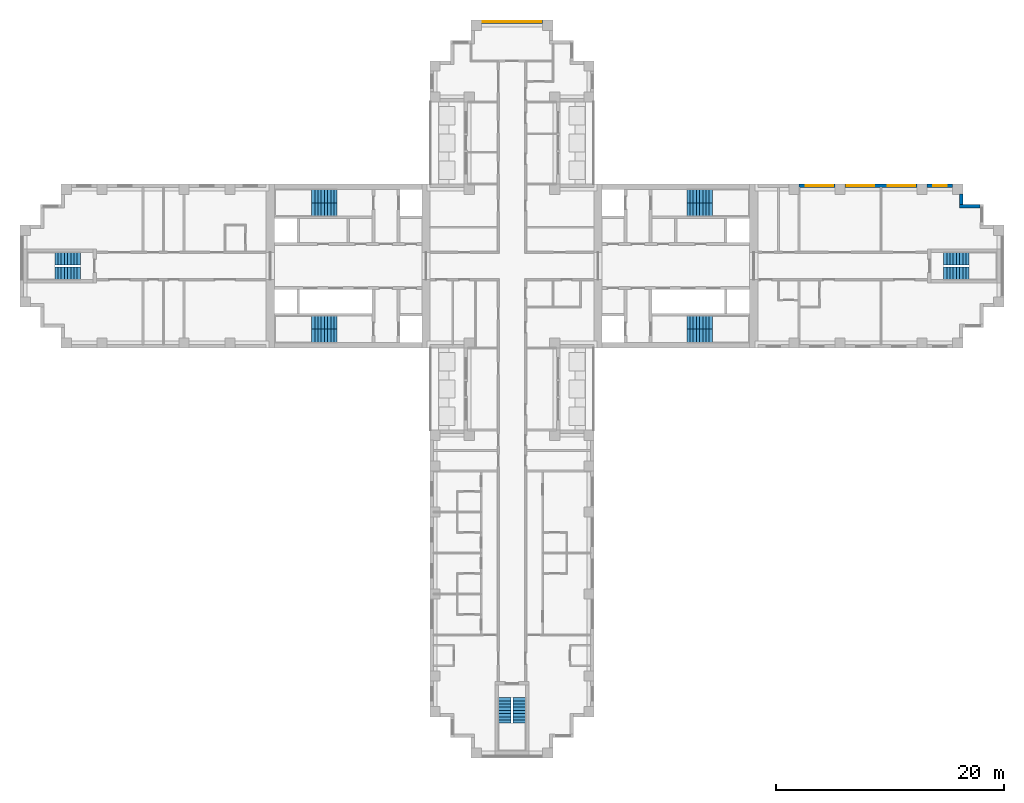
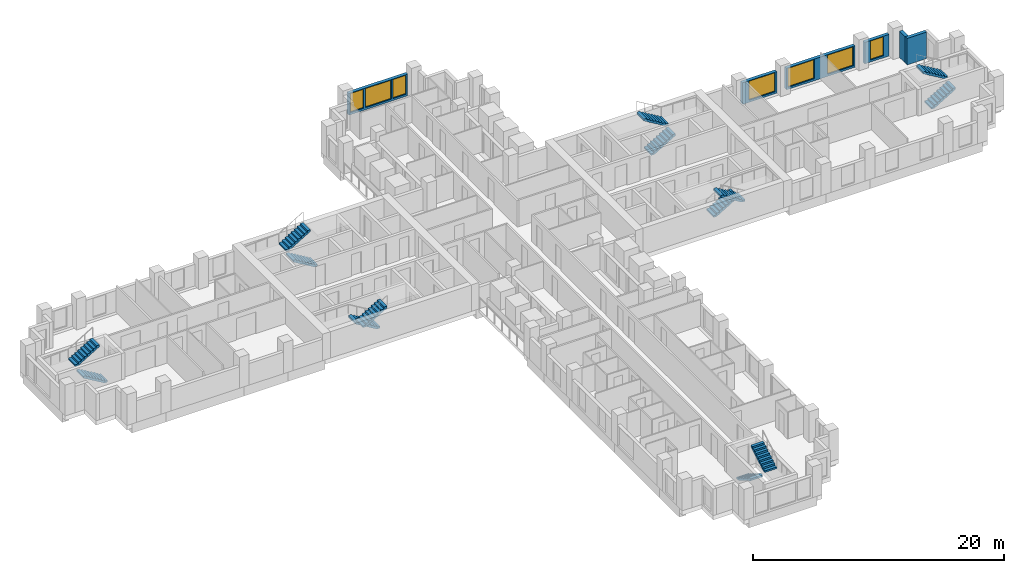
# One storey, part 11 of 13: 14 stair flights, 7 windows, 6 walls, 7 openings, 7 elements without a shape of their own.
"""IFC4 building model written with IfcOpenShell, lengths in metres."""

from ifc_helpers import new_model, si_unit, direction, frame, frame_2d, origin, place, context, subcontext, project, spatial, polyline, rectangle, outline, extrude, material, layer, layer_set, type_object, element, fill, aggregate, save


model = new_model("IFC4")

# Units and contexts
model_context = context("Model", 3, precision=1e-05, world=origin(), true_north=direction((0.0, 1.0)))
body_context = subcontext(model_context, "Body", "Model", "MODEL_VIEW")
ifc_project = project(units=[si_unit("LENGTHUNIT", "METRE"), si_unit("AREAUNIT", "SQUARE_METRE"), si_unit("VOLUMEUNIT", "CUBIC_METRE"), si_unit("PLANEANGLEUNIT", "RADIAN"), si_unit("MASSUNIT", "GRAM", prefix="KILO")], contexts=[model_context])

# Site, building, storey
site_placement = place(None, origin())
site = spatial("IfcSite", under=ifc_project, at=site_placement, CompositionType="ELEMENT")
building_placement = place(site_placement, origin())
building = spatial("IfcBuilding", under=site, at=building_placement, Name="Fustian Cross Tower", CompositionType="ELEMENT")
storey_placement = place(building_placement, frame((0.0, 0.0, 105.89990234375)))
storey = spatial("IfcBuildingStorey", under=building, at=storey_placement, Name="L33", CompositionType="ELEMENT", Elevation=105.89990234375)

# Walls
ifc_material_1 = material(Name="Dark aluminium cladding on insulated backing wall", Category="aluminium")
ifc_layer = layer(ifc_material_1, 0.300048828125)
ifc_layer_set = layer_set([ifc_layer], Name="Dark aluminium cladding on insulated backing wall")
wall_type = type_object("IfcWallType", Name="XW1 EXTERNAL WALL 300", PredefinedType="SOLIDWALL", material=ifc_layer_set)
wall_1_placement = place(storey_placement, frame((41.10009765625, 5.25, 0.0), z_axis=(0.0, 0.0, 1.0), x_axis=(-1.0, 0.0, 0.0)))
element("IfcWall", 1, at=wall_1_placement, inside=storey, type_object=wall_type, Name="External wall", PredefinedType="SOLIDWALL", context=body_context, shape_type="SweptSolid", body=[
    extrude(rectangle(XDim=1.800048828125, YDim=0.300048828125, at=frame_2d((0.89990234375, 0.0))), origin(), (0.0, 0.0, 1.0), 2.5751953125),
])
wall_2_placement = place(storey_placement, frame((39.449951171875, 5.39990234375, 0.0), z_axis=(0.0, 0.0, 1.0), x_axis=(0.0, 1.0, 0.0)))
element("IfcWall", 2, at=wall_2_placement, inside=storey, type_object=wall_type, Name="External wall", PredefinedType="SOLIDWALL", context=body_context, shape_type="SweptSolid", body=[
    extrude(rectangle(XDim=0.900146484375, YDim=0.300048828125, at=frame_2d((0.4501953125, 0.0))), origin(), (0.0, 0.0, 1.0), 2.5751953125),
])

# Wall, opening, window
wall_3_placement = place(storey_placement, frame((38.699951171875, 7.050048828125, 0.0), z_axis=(0.0, 0.0, 1.0), x_axis=(-1.0, 0.0, 0.0)))
wall_3 = element("IfcWall", 3, at=wall_3_placement, inside=storey, type_object=wall_type, Name="External wall", PredefinedType="SOLIDWALL", context=body_context, shape_type="SweptSolid", body=[
    extrude(rectangle(XDim=2.25, YDim=0.300048828125, at=frame_2d((1.125, 0.0))), origin(), (0.0, 0.0, 1.0), 2.10009765625),
])
opening_1_placement = place(wall_3_placement, frame((0.52490234375, 0.0, 0.199951171875)))
opening_1 = element("IfcOpeningElement", 4, at=opening_1_placement, cuts=wall_3, Name="Opening WN3", PredefinedType="OPENING", context=body_context, shape_type="SweptSolid", body=[
    extrude(rectangle(XDim=1.199951171875, YDim=1.85009765625, at=frame_2d((0.60009765625, 0.925048828125))), frame((0.0, 0.159912109375, 0.0), z_axis=(0.0, -1.0, 0.0), x_axis=(1.0, 0.0, 0.0)), (0.0, 0.0, 1.0), 0.320068359375),
])
ifc_material_2 = material(Name="Dark anodised aluminium and double glazing", Category="aluminium")
window_type_1 = type_object("IfcWindowType", Name="WN3 WINDOW 1200X1850", PartitioningType="SINGLE_PANEL", PredefinedType="WINDOW", material=ifc_material_2)
window_1_placement = place(opening_1_placement, origin())
window_1 = element("IfcWindow", 5, at=window_1_placement, inside=storey, type_object=window_type_1, Name="Window", OverallHeight=1.85009765625, OverallWidth=1.199951171875, PartitioningType="SINGLE_PANEL", PredefinedType="WINDOW", context=body_context, shape_type="SweptSolid", body=[
    extrude(rectangle(XDim=1.199951171875, YDim=1.85009765625, at=frame_2d((0.60009765625, 0.925048828125))), frame((0.0, 0.030029296875, 0.0), z_axis=(0.0, -1.0, 0.0), x_axis=(1.0, 0.0, 0.0)), (0.0, 0.0, 1.0), 0.06005859375),
])
fill(opening_1, window_1)

# Wall, openings, windows
wall_4_placement = place(storey_placement, frame((35.550048828125, 7.050048828125, 0.0), z_axis=(0.0, 0.0, 1.0), x_axis=(-1.0, 0.0, 0.0)))
wall_4 = element("IfcWall", 6, at=wall_4_placement, inside=storey, type_object=wall_type, Name="External wall", PredefinedType="SOLIDWALL", context=body_context, shape_type="SweptSolid", body=[
    extrude(rectangle(XDim=6.300048828125, YDim=0.300048828125, at=frame_2d((3.14990234375, 0.0))), origin(), (0.0, 0.0, 1.0), 2.10009765625),
])
opening_2_placement = place(wall_4_placement, frame((0.14990234375, 0.0, 0.199951171875)))
opening_2 = element("IfcOpeningElement", 7, at=opening_2_placement, cuts=wall_4, Name="Opening WN1", PredefinedType="OPENING", context=body_context, shape_type="SweptSolid", body=[
    extrude(rectangle(XDim=2.39990234375, YDim=1.85009765625, at=frame_2d((1.199951171875, 0.925048828125))), frame((0.0, 0.159912109375, 0.0), z_axis=(0.0, -1.0, 0.0), x_axis=(1.0, 0.0, 0.0)), (0.0, 0.0, 1.0), 0.320068359375),
])
opening_3_placement = place(wall_4_placement, frame((3.75, 0.0, 0.199951171875)))
opening_3 = element("IfcOpeningElement", 8, at=opening_3_placement, cuts=wall_4, Name="Opening WN1", PredefinedType="OPENING", context=body_context, shape_type="SweptSolid", body=[
    extrude(rectangle(XDim=2.39990234375, YDim=1.85009765625, at=frame_2d((1.199951171875, 0.925048828125))), frame((0.0, 0.159912109375, 0.0), z_axis=(0.0, -1.0, 0.0), x_axis=(1.0, 0.0, 0.0)), (0.0, 0.0, 1.0), 0.320068359375),
])
ifc_material_3 = material(Name="Dark anodised aluminium and double glazing", Category="aluminium")
window_type_2 = type_object("IfcWindowType", Name="WN1 WINDOW 2400X1850", PartitioningType="SINGLE_PANEL", PredefinedType="WINDOW", material=ifc_material_3)
window_2_placement = place(opening_2_placement, origin())
window_2 = element("IfcWindow", 9, at=window_2_placement, inside=storey, type_object=window_type_2, Name="Window", OverallHeight=1.85009765625, OverallWidth=2.39990234375, PartitioningType="SINGLE_PANEL", PredefinedType="WINDOW", context=body_context, shape_type="SweptSolid", body=[
    extrude(rectangle(XDim=2.39990234375, YDim=1.85009765625, at=frame_2d((1.199951171875, 0.925048828125))), frame((0.0, 0.030029296875, 0.0), z_axis=(0.0, -1.0, 0.0), x_axis=(1.0, 0.0, 0.0)), (0.0, 0.0, 1.0), 0.06005859375),
])
fill(opening_2, window_2)
window_3_placement = place(opening_3_placement, origin())
window_3 = element("IfcWindow", 10, at=window_3_placement, inside=storey, type_object=window_type_2, Name="Window", OverallHeight=1.85009765625, OverallWidth=2.39990234375, PartitioningType="SINGLE_PANEL", PredefinedType="WINDOW", context=body_context, shape_type="SweptSolid", body=[
    extrude(rectangle(XDim=2.39990234375, YDim=1.85009765625, at=frame_2d((1.199951171875, 0.925048828125))), frame((0.0, 0.030029296875, 0.0), z_axis=(0.0, -1.0, 0.0), x_axis=(1.0, 0.0, 0.0)), (0.0, 0.0, 1.0), 0.06005859375),
])
fill(opening_3, window_3)

# Wall, opening, window
wall_5_placement = place(storey_placement, frame((28.35009765625, 7.050048828125, 0.0), z_axis=(0.0, 0.0, 1.0), x_axis=(-1.0, 0.0, 0.0)))
wall_5 = element("IfcWall", 11, at=wall_5_placement, inside=storey, type_object=wall_type, Name="External wall", PredefinedType="SOLIDWALL", context=body_context, shape_type="SweptSolid", body=[
    extrude(rectangle(XDim=3.150146484375, YDim=0.300048828125, at=frame_2d((1.5751953125, 0.0))), origin(), (0.0, 0.0, 1.0), 2.10009765625),
])
opening_4_placement = place(wall_5_placement, frame((0.14990234375, 0.0, 0.199951171875)))
opening_4 = element("IfcOpeningElement", 12, at=opening_4_placement, cuts=wall_5, Name="Opening WN1", PredefinedType="OPENING", context=body_context, shape_type="SweptSolid", body=[
    extrude(rectangle(XDim=2.39990234375, YDim=1.85009765625, at=frame_2d((1.199951171875, 0.925048828125))), frame((0.0, 0.159912109375, 0.0), z_axis=(0.0, -1.0, 0.0), x_axis=(1.0, 0.0, 0.0)), (0.0, 0.0, 1.0), 0.320068359375),
])
window_4_placement = place(opening_4_placement, origin())
window_4 = element("IfcWindow", 13, at=window_4_placement, inside=storey, type_object=window_type_2, Name="Window", OverallHeight=1.85009765625, OverallWidth=2.39990234375, PartitioningType="SINGLE_PANEL", PredefinedType="WINDOW", context=body_context, shape_type="SweptSolid", body=[
    extrude(rectangle(XDim=2.39990234375, YDim=1.85009765625, at=frame_2d((1.199951171875, 0.925048828125))), frame((0.0, 0.030029296875, 0.0), z_axis=(0.0, -1.0, 0.0), x_axis=(1.0, 0.0, 0.0)), (0.0, 0.0, 1.0), 0.06005859375),
])
fill(opening_4, window_4)

# Wall, openings, windows
wall_6_placement = place(storey_placement, frame((2.699951171875, 21.449951171875, 0.0), z_axis=(0.0, 0.0, 1.0), x_axis=(-1.0, 0.0, 0.0)))
wall_6 = element("IfcWall", 14, at=wall_6_placement, inside=storey, type_object=wall_type, Name="External wall", PredefinedType="SOLIDWALL", context=body_context, shape_type="SweptSolid", body=[
    extrude(rectangle(XDim=5.39990234375, YDim=0.300048828125, at=frame_2d((2.699951171875, 0.0))), origin(), (0.0, 0.0, 1.0), 2.10009765625),
])
opening_5_placement = place(wall_6_placement, frame((1.5, 0.0, 0.199951171875)))
opening_5 = element("IfcOpeningElement", 15, at=opening_5_placement, cuts=wall_6, Name="Opening WN1", PredefinedType="OPENING", context=body_context, shape_type="SweptSolid", body=[
    extrude(rectangle(XDim=2.39990234375, YDim=1.85009765625, at=frame_2d((1.199951171875, 0.925048828125))), frame((0.0, 0.159912109375, 0.0), z_axis=(0.0, -1.0, 0.0), x_axis=(1.0, 0.0, 0.0)), (0.0, 0.0, 1.0), 0.320068359375),
])
opening_6_placement = place(wall_6_placement, frame((0.14990234375, 0.0, 0.199951171875)))
opening_6 = element("IfcOpeningElement", 16, at=opening_6_placement, cuts=wall_6, Name="Opening WN3", PredefinedType="OPENING", context=body_context, shape_type="SweptSolid", body=[
    extrude(rectangle(XDim=1.199951171875, YDim=1.85009765625, at=frame_2d((0.60009765625, 0.925048828125))), frame((0.0, 0.159912109375, 0.0), z_axis=(0.0, -1.0, 0.0), x_axis=(1.0, 0.0, 0.0)), (0.0, 0.0, 1.0), 0.320068359375),
])
opening_7_placement = place(wall_6_placement, frame((4.050048828125, 0.0, 0.199951171875)))
opening_7 = element("IfcOpeningElement", 17, at=opening_7_placement, cuts=wall_6, Name="Opening WN3", PredefinedType="OPENING", context=body_context, shape_type="SweptSolid", body=[
    extrude(rectangle(XDim=1.199951171875, YDim=1.85009765625, at=frame_2d((0.60009765625, 0.925048828125))), frame((0.0, 0.159912109375, 0.0), z_axis=(0.0, -1.0, 0.0), x_axis=(1.0, 0.0, 0.0)), (0.0, 0.0, 1.0), 0.320068359375),
])
window_5_placement = place(opening_5_placement, origin())
window_5 = element("IfcWindow", 18, at=window_5_placement, inside=storey, type_object=window_type_2, Name="Window", OverallHeight=1.85009765625, OverallWidth=2.39990234375, PartitioningType="SINGLE_PANEL", PredefinedType="WINDOW", context=body_context, shape_type="SweptSolid", body=[
    extrude(rectangle(XDim=2.39990234375, YDim=1.85009765625, at=frame_2d((1.199951171875, 0.925048828125))), frame((0.0, 0.030029296875, 0.0), z_axis=(0.0, -1.0, 0.0), x_axis=(1.0, 0.0, 0.0)), (0.0, 0.0, 1.0), 0.06005859375),
])
fill(opening_5, window_5)
window_6_placement = place(opening_6_placement, origin())
window_6 = element("IfcWindow", 19, at=window_6_placement, inside=storey, type_object=window_type_1, Name="Window", OverallHeight=1.85009765625, OverallWidth=1.199951171875, PartitioningType="SINGLE_PANEL", PredefinedType="WINDOW", context=body_context, shape_type="SweptSolid", body=[
    extrude(rectangle(XDim=1.199951171875, YDim=1.85009765625, at=frame_2d((0.60009765625, 0.925048828125))), frame((0.0, 0.030029296875, 0.0), z_axis=(0.0, -1.0, 0.0), x_axis=(1.0, 0.0, 0.0)), (0.0, 0.0, 1.0), 0.06005859375),
])
fill(opening_6, window_6)
window_7_placement = place(opening_7_placement, origin())
window_7 = element("IfcWindow", 20, at=window_7_placement, inside=storey, type_object=window_type_1, Name="Window", OverallHeight=1.85009765625, OverallWidth=1.199951171875, PartitioningType="SINGLE_PANEL", PredefinedType="WINDOW", context=body_context, shape_type="SweptSolid", body=[
    extrude(rectangle(XDim=1.199951171875, YDim=1.85009765625, at=frame_2d((0.60009765625, 0.925048828125))), frame((0.0, 0.030029296875, 0.0), z_axis=(0.0, -1.0, 0.0), x_axis=(1.0, 0.0, 0.0)), (0.0, 0.0, 1.0), 0.06005859375),
])
fill(opening_7, window_7)

# Stair, stair flights
ifc_material_4 = material(Name="Concrete C50/60", Category="concrete")
stair_type_1 = type_object("IfcStairType", Name="STAIR 1100 HALF TURN", PredefinedType="HALF_TURN_STAIR", material=ifc_material_4)
stair_1_placement = place(storey_placement, origin())
stair_1 = element("IfcStair", 21, at=stair_1_placement, inside=storey, type_object=stair_type_1, Name="Stair ST6", PredefinedType="HALF_TURN_STAIR")
ifc_material_5 = material(Name="Concrete C50/60", Category="concrete")
stair_flight_type_1 = type_object("IfcStairFlightType", Name="STAIR FLIGHT 1100", PredefinedType="STRAIGHT", material=ifc_material_5)
stair_flight_1_placement = place(storey_placement, frame((-0.64990234375, -37.89990234375, 0.0), z_axis=(0.0, 0.0, 1.0), x_axis=(0.0, -1.0, 0.0)))
stair_flight_1 = element("IfcStairFlight", 22, at=stair_flight_1_placement, type_object=stair_flight_type_1, Name="ST6 flight 1", NumberOfRisers=9, NumberOfTreads=8, PredefinedType="STRAIGHT", RiserHeight=0.166666667, TreadLength=0.28, context=body_context, shape_type="SweptSolid", body=[
    extrude(outline(polyline([(0.0, 0.0), (0.0, 0.166748046875), (0.280029296875, 0.166748046875), (0.280029296875, 0.333251953125), (0.56005859375, 0.333251953125), (0.56005859375, 0.5), (0.840087890625, 0.5), (0.840087890625, 0.666748046875), (1.1201171875, 0.666748046875), (1.1201171875, 0.833251953125), (1.39990234375, 0.833251953125), (1.39990234375, 1.0), (1.679931640625, 1.0), (1.679931640625, 1.166748046875), (1.9599609375, 1.166748046875), (1.9599609375, 1.333251953125), (2.239990234375, 1.333251953125), (2.239990234375, 1.5), (2.239990234375, 1.158935546875), (0.29296875, 0.0), (0.0, 0.0)])), frame((0.0, 0.550048828125, 0.0), z_axis=(0.0, -1.0, 0.0), x_axis=(1.0, 0.0, 0.0)), (0.0, 0.0, 1.0), 1.10009765625),
])
stair_flight_2_placement = place(storey_placement, frame((0.64990234375, -40.139892578125, 1.5), z_axis=(0.0, 0.0, 1.0), x_axis=(0.0, 1.0, 0.0)))
stair_flight_2 = element("IfcStairFlight", 23, at=stair_flight_2_placement, type_object=stair_flight_type_1, Name="ST6 flight 2", NumberOfRisers=9, NumberOfTreads=8, PredefinedType="STRAIGHT", RiserHeight=0.166666667, TreadLength=0.28, context=body_context, shape_type="SweptSolid", body=[
    extrude(outline(polyline([(0.0, 0.0), (0.0, 0.166748046875), (0.280029296875, 0.166748046875), (0.280029296875, 0.333251953125), (0.56005859375, 0.333251953125), (0.56005859375, 0.5), (0.840087890625, 0.5), (0.840087890625, 0.666748046875), (1.1201171875, 0.666748046875), (1.1201171875, 0.833251953125), (1.39990234375, 0.833251953125), (1.39990234375, 1.0), (1.679931640625, 1.0), (1.679931640625, 1.166748046875), (1.9599609375, 1.166748046875), (1.9599609375, 1.333251953125), (2.239990234375, 1.333251953125), (2.239990234375, 1.5), (2.239990234375, 1.158935546875), (0.29296875, 0.0), (0.0, 0.0)])), frame((0.0, 0.550048828125, 0.0), z_axis=(0.0, -1.0, 0.0), x_axis=(1.0, 0.0, 0.0)), (0.0, 0.0, 1.0), 1.10009765625),
])
aggregate(stair_1, [stair_flight_1, stair_flight_2])

stair_2_placement = place(storey_placement, origin())
stair_2 = element("IfcStair", 24, at=stair_2_placement, inside=storey, type_object=stair_type_1, Name="Stair ST8", PredefinedType="HALF_TURN_STAIR")
stair_flight_3_placement = place(storey_placement, frame((37.89990234375, -0.64990234375, 0.0), z_axis=(0.0, 0.0, 1.0), x_axis=(1.0, 0.0, 0.0)))
stair_flight_3 = element("IfcStairFlight", 25, at=stair_flight_3_placement, type_object=stair_flight_type_1, Name="ST8 flight 1", NumberOfRisers=9, NumberOfTreads=8, PredefinedType="STRAIGHT", RiserHeight=0.166666667, TreadLength=0.28, context=body_context, shape_type="SweptSolid", body=[
    extrude(outline(polyline([(0.0, 0.0), (0.0, 0.166748046875), (0.280029296875, 0.166748046875), (0.280029296875, 0.333251953125), (0.56005859375, 0.333251953125), (0.56005859375, 0.5), (0.840087890625, 0.5), (0.840087890625, 0.666748046875), (1.1201171875, 0.666748046875), (1.1201171875, 0.833251953125), (1.39990234375, 0.833251953125), (1.39990234375, 1.0), (1.679931640625, 1.0), (1.679931640625, 1.166748046875), (1.9599609375, 1.166748046875), (1.9599609375, 1.333251953125), (2.239990234375, 1.333251953125), (2.239990234375, 1.5), (2.239990234375, 1.158935546875), (0.29296875, 0.0), (0.0, 0.0)])), frame((0.0, 0.550048828125, 0.0), z_axis=(0.0, -1.0, 0.0), x_axis=(1.0, 0.0, 0.0)), (0.0, 0.0, 1.0), 1.10009765625),
])
stair_flight_4_placement = place(storey_placement, frame((40.139892578125, 0.64990234375, 1.5), z_axis=(0.0, 0.0, 1.0), x_axis=(-1.0, 0.0, 0.0)))
stair_flight_4 = element("IfcStairFlight", 26, at=stair_flight_4_placement, type_object=stair_flight_type_1, Name="ST8 flight 2", NumberOfRisers=9, NumberOfTreads=8, PredefinedType="STRAIGHT", RiserHeight=0.166666667, TreadLength=0.28, context=body_context, shape_type="SweptSolid", body=[
    extrude(outline(polyline([(0.0, 0.0), (0.0, 0.166748046875), (0.280029296875, 0.166748046875), (0.280029296875, 0.333251953125), (0.56005859375, 0.333251953125), (0.56005859375, 0.5), (0.840087890625, 0.5), (0.840087890625, 0.666748046875), (1.1201171875, 0.666748046875), (1.1201171875, 0.833251953125), (1.39990234375, 0.833251953125), (1.39990234375, 1.0), (1.679931640625, 1.0), (1.679931640625, 1.166748046875), (1.9599609375, 1.166748046875), (1.9599609375, 1.333251953125), (2.239990234375, 1.333251953125), (2.239990234375, 1.5), (2.239990234375, 1.158935546875), (0.29296875, 0.0), (0.0, 0.0)])), frame((0.0, 0.550048828125, 0.0), z_axis=(0.0, -1.0, 0.0), x_axis=(1.0, 0.0, 0.0)), (0.0, 0.0, 1.0), 1.10009765625),
])
aggregate(stair_2, [stair_flight_3, stair_flight_4])

stair_3_placement = place(storey_placement, origin())
stair_3 = element("IfcStair", 27, at=stair_3_placement, inside=storey, type_object=stair_type_1, Name="Stair ST9", PredefinedType="HALF_TURN_STAIR")
stair_flight_5_placement = place(storey_placement, frame((-37.89990234375, -0.64990234375, 0.0), z_axis=(0.0, 0.0, 1.0), x_axis=(-1.0, 0.0, 0.0)))
stair_flight_5 = element("IfcStairFlight", 28, at=stair_flight_5_placement, type_object=stair_flight_type_1, Name="ST9 flight 1", NumberOfRisers=9, NumberOfTreads=8, PredefinedType="STRAIGHT", RiserHeight=0.166666667, TreadLength=0.28, context=body_context, shape_type="SweptSolid", body=[
    extrude(outline(polyline([(0.0, 0.0), (0.0, 0.166748046875), (0.280029296875, 0.166748046875), (0.280029296875, 0.333251953125), (0.56005859375, 0.333251953125), (0.56005859375, 0.5), (0.840087890625, 0.5), (0.840087890625, 0.666748046875), (1.1201171875, 0.666748046875), (1.1201171875, 0.833251953125), (1.39990234375, 0.833251953125), (1.39990234375, 1.0), (1.679931640625, 1.0), (1.679931640625, 1.166748046875), (1.9599609375, 1.166748046875), (1.9599609375, 1.333251953125), (2.239990234375, 1.333251953125), (2.239990234375, 1.5), (2.239990234375, 1.158935546875), (0.29296875, 0.0), (0.0, 0.0)])), frame((0.0, 0.550048828125, 0.0), z_axis=(0.0, -1.0, 0.0), x_axis=(1.0, 0.0, 0.0)), (0.0, 0.0, 1.0), 1.10009765625),
])
stair_flight_6_placement = place(storey_placement, frame((-40.139892578125, 0.64990234375, 1.5), z_axis=(0.0, 0.0, 1.0), x_axis=(1.0, 0.0, 0.0)))
stair_flight_6 = element("IfcStairFlight", 29, at=stair_flight_6_placement, type_object=stair_flight_type_1, Name="ST9 flight 2", NumberOfRisers=9, NumberOfTreads=8, PredefinedType="STRAIGHT", RiserHeight=0.166666667, TreadLength=0.28, context=body_context, shape_type="SweptSolid", body=[
    extrude(outline(polyline([(0.0, 0.0), (0.0, 0.166748046875), (0.280029296875, 0.166748046875), (0.280029296875, 0.333251953125), (0.56005859375, 0.333251953125), (0.56005859375, 0.5), (0.840087890625, 0.5), (0.840087890625, 0.666748046875), (1.1201171875, 0.666748046875), (1.1201171875, 0.833251953125), (1.39990234375, 0.833251953125), (1.39990234375, 1.0), (1.679931640625, 1.0), (1.679931640625, 1.166748046875), (1.9599609375, 1.166748046875), (1.9599609375, 1.333251953125), (2.239990234375, 1.333251953125), (2.239990234375, 1.5), (2.239990234375, 1.158935546875), (0.29296875, 0.0), (0.0, 0.0)])), frame((0.0, 0.550048828125, 0.0), z_axis=(0.0, -1.0, 0.0), x_axis=(1.0, 0.0, 0.0)), (0.0, 0.0, 1.0), 1.10009765625),
])
aggregate(stair_3, [stair_flight_5, stair_flight_6])

ifc_material_6 = material(Name="Concrete C50/60", Category="concrete")
stair_type_2 = type_object("IfcStairType", Name="STAIR 1150 HALF TURN", PredefinedType="HALF_TURN_STAIR", material=ifc_material_6)
stair_4_placement = place(storey_placement, origin())
stair_4 = element("IfcStair", 30, at=stair_4_placement, inside=storey, type_object=stair_type_2, Name="Stair ST1", PredefinedType="HALF_TURN_STAIR")
ifc_material_7 = material(Name="Concrete C50/60", Category="concrete")
stair_flight_type_2 = type_object("IfcStairFlightType", Name="STAIR FLIGHT 1150", PredefinedType="STRAIGHT", material=ifc_material_7)
stair_flight_7_placement = place(storey_placement, frame((15.35009765625, 4.97509765625, 0.0), z_axis=(0.0, 0.0, 1.0), x_axis=(1.0, 0.0, 0.0)))
stair_flight_7 = element("IfcStairFlight", 31, at=stair_flight_7_placement, type_object=stair_flight_type_2, Name="ST1 flight 1", NumberOfRisers=9, NumberOfTreads=8, PredefinedType="STRAIGHT", RiserHeight=0.166666667, TreadLength=0.28, context=body_context, shape_type="SweptSolid", body=[
    extrude(outline(polyline([(0.0, 0.0), (0.0, 0.166748046875), (0.280029296875, 0.166748046875), (0.280029296875, 0.333251953125), (0.56005859375, 0.333251953125), (0.56005859375, 0.5), (0.840087890625, 0.5), (0.840087890625, 0.666748046875), (1.1201171875, 0.666748046875), (1.1201171875, 0.833251953125), (1.39990234375, 0.833251953125), (1.39990234375, 1.0), (1.679931640625, 1.0), (1.679931640625, 1.166748046875), (1.9599609375, 1.166748046875), (1.9599609375, 1.333251953125), (2.239990234375, 1.333251953125), (2.239990234375, 1.5), (2.239990234375, 1.158935546875), (0.29296875, 0.0), (0.0, 0.0)])), frame((0.0, 0.574951171875, 0.0), z_axis=(0.0, -1.0, 0.0), x_axis=(1.0, 0.0, 0.0)), (0.0, 0.0, 1.0), 1.14990234375),
])
stair_flight_8_placement = place(storey_placement, frame((17.590087890625, 6.125, 1.5), z_axis=(0.0, 0.0, 1.0), x_axis=(-1.0, 0.0, 0.0)))
stair_flight_8 = element("IfcStairFlight", 32, at=stair_flight_8_placement, type_object=stair_flight_type_2, Name="ST1 flight 2", NumberOfRisers=9, NumberOfTreads=8, PredefinedType="STRAIGHT", RiserHeight=0.166666667, TreadLength=0.28, context=body_context, shape_type="SweptSolid", body=[
    extrude(outline(polyline([(0.0, 0.0), (0.0, 0.166748046875), (0.280029296875, 0.166748046875), (0.280029296875, 0.333251953125), (0.56005859375, 0.333251953125), (0.56005859375, 0.5), (0.840087890625, 0.5), (0.840087890625, 0.666748046875), (1.1201171875, 0.666748046875), (1.1201171875, 0.833251953125), (1.39990234375, 0.833251953125), (1.39990234375, 1.0), (1.679931640625, 1.0), (1.679931640625, 1.166748046875), (1.9599609375, 1.166748046875), (1.9599609375, 1.333251953125), (2.239990234375, 1.333251953125), (2.239990234375, 1.5), (2.239990234375, 1.158935546875), (0.29296875, 0.0), (0.0, 0.0)])), frame((0.0, 0.574951171875, 0.0), z_axis=(0.0, -1.0, 0.0), x_axis=(1.0, 0.0, 0.0)), (0.0, 0.0, 1.0), 1.14990234375),
])
aggregate(stair_4, [stair_flight_7, stair_flight_8])

stair_5_placement = place(storey_placement, origin())
stair_5 = element("IfcStair", 33, at=stair_5_placement, inside=storey, type_object=stair_type_2, Name="Stair ST2", PredefinedType="HALF_TURN_STAIR")
stair_flight_9_placement = place(storey_placement, frame((15.35009765625, -4.97509765625, 0.0), z_axis=(0.0, 0.0, 1.0), x_axis=(1.0, 0.0, 0.0)))
stair_flight_9 = element("IfcStairFlight", 34, at=stair_flight_9_placement, type_object=stair_flight_type_2, Name="ST2 flight 1", NumberOfRisers=9, NumberOfTreads=8, PredefinedType="STRAIGHT", RiserHeight=0.166666667, TreadLength=0.28, context=body_context, shape_type="SweptSolid", body=[
    extrude(outline(polyline([(0.0, 0.0), (0.0, 0.166748046875), (0.280029296875, 0.166748046875), (0.280029296875, 0.333251953125), (0.56005859375, 0.333251953125), (0.56005859375, 0.5), (0.840087890625, 0.5), (0.840087890625, 0.666748046875), (1.1201171875, 0.666748046875), (1.1201171875, 0.833251953125), (1.39990234375, 0.833251953125), (1.39990234375, 1.0), (1.679931640625, 1.0), (1.679931640625, 1.166748046875), (1.9599609375, 1.166748046875), (1.9599609375, 1.333251953125), (2.239990234375, 1.333251953125), (2.239990234375, 1.5), (2.239990234375, 1.158935546875), (0.29296875, 0.0), (0.0, 0.0)])), frame((0.0, 0.574951171875, 0.0), z_axis=(0.0, -1.0, 0.0), x_axis=(1.0, 0.0, 0.0)), (0.0, 0.0, 1.0), 1.14990234375),
])
stair_flight_10_placement = place(storey_placement, frame((17.590087890625, -6.125, 1.5), z_axis=(0.0, 0.0, 1.0), x_axis=(-1.0, 0.0, 0.0)))
stair_flight_10 = element("IfcStairFlight", 35, at=stair_flight_10_placement, type_object=stair_flight_type_2, Name="ST2 flight 2", NumberOfRisers=9, NumberOfTreads=8, PredefinedType="STRAIGHT", RiserHeight=0.166666667, TreadLength=0.28, context=body_context, shape_type="SweptSolid", body=[
    extrude(outline(polyline([(0.0, 0.0), (0.0, 0.166748046875), (0.280029296875, 0.166748046875), (0.280029296875, 0.333251953125), (0.56005859375, 0.333251953125), (0.56005859375, 0.5), (0.840087890625, 0.5), (0.840087890625, 0.666748046875), (1.1201171875, 0.666748046875), (1.1201171875, 0.833251953125), (1.39990234375, 0.833251953125), (1.39990234375, 1.0), (1.679931640625, 1.0), (1.679931640625, 1.166748046875), (1.9599609375, 1.166748046875), (1.9599609375, 1.333251953125), (2.239990234375, 1.333251953125), (2.239990234375, 1.5), (2.239990234375, 1.158935546875), (0.29296875, 0.0), (0.0, 0.0)])), frame((0.0, 0.574951171875, 0.0), z_axis=(0.0, -1.0, 0.0), x_axis=(1.0, 0.0, 0.0)), (0.0, 0.0, 1.0), 1.14990234375),
])
aggregate(stair_5, [stair_flight_9, stair_flight_10])

stair_6_placement = place(storey_placement, origin())
stair_6 = element("IfcStair", 36, at=stair_6_placement, inside=storey, type_object=stair_type_2, Name="Stair ST3", PredefinedType="HALF_TURN_STAIR")
stair_flight_11_placement = place(storey_placement, frame((-15.35009765625, 4.97509765625, 0.0), z_axis=(0.0, 0.0, 1.0), x_axis=(-1.0, 0.0, 0.0)))
stair_flight_11 = element("IfcStairFlight", 37, at=stair_flight_11_placement, type_object=stair_flight_type_2, Name="ST3 flight 1", NumberOfRisers=9, NumberOfTreads=8, PredefinedType="STRAIGHT", RiserHeight=0.166666667, TreadLength=0.28, context=body_context, shape_type="SweptSolid", body=[
    extrude(outline(polyline([(0.0, 0.0), (0.0, 0.166748046875), (0.280029296875, 0.166748046875), (0.280029296875, 0.333251953125), (0.56005859375, 0.333251953125), (0.56005859375, 0.5), (0.840087890625, 0.5), (0.840087890625, 0.666748046875), (1.1201171875, 0.666748046875), (1.1201171875, 0.833251953125), (1.39990234375, 0.833251953125), (1.39990234375, 1.0), (1.679931640625, 1.0), (1.679931640625, 1.166748046875), (1.9599609375, 1.166748046875), (1.9599609375, 1.333251953125), (2.239990234375, 1.333251953125), (2.239990234375, 1.5), (2.239990234375, 1.158935546875), (0.29296875, 0.0), (0.0, 0.0)])), frame((0.0, 0.574951171875, 0.0), z_axis=(0.0, -1.0, 0.0), x_axis=(1.0, 0.0, 0.0)), (0.0, 0.0, 1.0), 1.14990234375),
])
stair_flight_12_placement = place(storey_placement, frame((-17.590087890625, 6.125, 1.5), z_axis=(0.0, 0.0, 1.0), x_axis=(1.0, 0.0, 0.0)))
stair_flight_12 = element("IfcStairFlight", 38, at=stair_flight_12_placement, type_object=stair_flight_type_2, Name="ST3 flight 2", NumberOfRisers=9, NumberOfTreads=8, PredefinedType="STRAIGHT", RiserHeight=0.166666667, TreadLength=0.28, context=body_context, shape_type="SweptSolid", body=[
    extrude(outline(polyline([(0.0, 0.0), (0.0, 0.166748046875), (0.280029296875, 0.166748046875), (0.280029296875, 0.333251953125), (0.56005859375, 0.333251953125), (0.56005859375, 0.5), (0.840087890625, 0.5), (0.840087890625, 0.666748046875), (1.1201171875, 0.666748046875), (1.1201171875, 0.833251953125), (1.39990234375, 0.833251953125), (1.39990234375, 1.0), (1.679931640625, 1.0), (1.679931640625, 1.166748046875), (1.9599609375, 1.166748046875), (1.9599609375, 1.333251953125), (2.239990234375, 1.333251953125), (2.239990234375, 1.5), (2.239990234375, 1.158935546875), (0.29296875, 0.0), (0.0, 0.0)])), frame((0.0, 0.574951171875, 0.0), z_axis=(0.0, -1.0, 0.0), x_axis=(1.0, 0.0, 0.0)), (0.0, 0.0, 1.0), 1.14990234375),
])
aggregate(stair_6, [stair_flight_11, stair_flight_12])

stair_7_placement = place(storey_placement, origin())
stair_7 = element("IfcStair", 39, at=stair_7_placement, inside=storey, type_object=stair_type_2, Name="Stair ST4", PredefinedType="HALF_TURN_STAIR")
stair_flight_13_placement = place(storey_placement, frame((-15.35009765625, -4.97509765625, 0.0), z_axis=(0.0, 0.0, 1.0), x_axis=(-1.0, 0.0, 0.0)))
stair_flight_13 = element("IfcStairFlight", 40, at=stair_flight_13_placement, type_object=stair_flight_type_2, Name="ST4 flight 1", NumberOfRisers=9, NumberOfTreads=8, PredefinedType="STRAIGHT", RiserHeight=0.166666667, TreadLength=0.28, context=body_context, shape_type="SweptSolid", body=[
    extrude(outline(polyline([(0.0, 0.0), (0.0, 0.166748046875), (0.280029296875, 0.166748046875), (0.280029296875, 0.333251953125), (0.56005859375, 0.333251953125), (0.56005859375, 0.5), (0.840087890625, 0.5), (0.840087890625, 0.666748046875), (1.1201171875, 0.666748046875), (1.1201171875, 0.833251953125), (1.39990234375, 0.833251953125), (1.39990234375, 1.0), (1.679931640625, 1.0), (1.679931640625, 1.166748046875), (1.9599609375, 1.166748046875), (1.9599609375, 1.333251953125), (2.239990234375, 1.333251953125), (2.239990234375, 1.5), (2.239990234375, 1.158935546875), (0.29296875, 0.0), (0.0, 0.0)])), frame((0.0, 0.574951171875, 0.0), z_axis=(0.0, -1.0, 0.0), x_axis=(1.0, 0.0, 0.0)), (0.0, 0.0, 1.0), 1.14990234375),
])
stair_flight_14_placement = place(storey_placement, frame((-17.590087890625, -6.125, 1.5), z_axis=(0.0, 0.0, 1.0), x_axis=(1.0, 0.0, 0.0)))
stair_flight_14 = element("IfcStairFlight", 41, at=stair_flight_14_placement, type_object=stair_flight_type_2, Name="ST4 flight 2", NumberOfRisers=9, NumberOfTreads=8, PredefinedType="STRAIGHT", RiserHeight=0.166666667, TreadLength=0.28, context=body_context, shape_type="SweptSolid", body=[
    extrude(outline(polyline([(0.0, 0.0), (0.0, 0.166748046875), (0.280029296875, 0.166748046875), (0.280029296875, 0.333251953125), (0.56005859375, 0.333251953125), (0.56005859375, 0.5), (0.840087890625, 0.5), (0.840087890625, 0.666748046875), (1.1201171875, 0.666748046875), (1.1201171875, 0.833251953125), (1.39990234375, 0.833251953125), (1.39990234375, 1.0), (1.679931640625, 1.0), (1.679931640625, 1.166748046875), (1.9599609375, 1.166748046875), (1.9599609375, 1.333251953125), (2.239990234375, 1.333251953125), (2.239990234375, 1.5), (2.239990234375, 1.158935546875), (0.29296875, 0.0), (0.0, 0.0)])), frame((0.0, 0.574951171875, 0.0), z_axis=(0.0, -1.0, 0.0), x_axis=(1.0, 0.0, 0.0)), (0.0, 0.0, 1.0), 1.14990234375),
])
aggregate(stair_7, [stair_flight_13, stair_flight_14])

save(model, "model.ifc")
